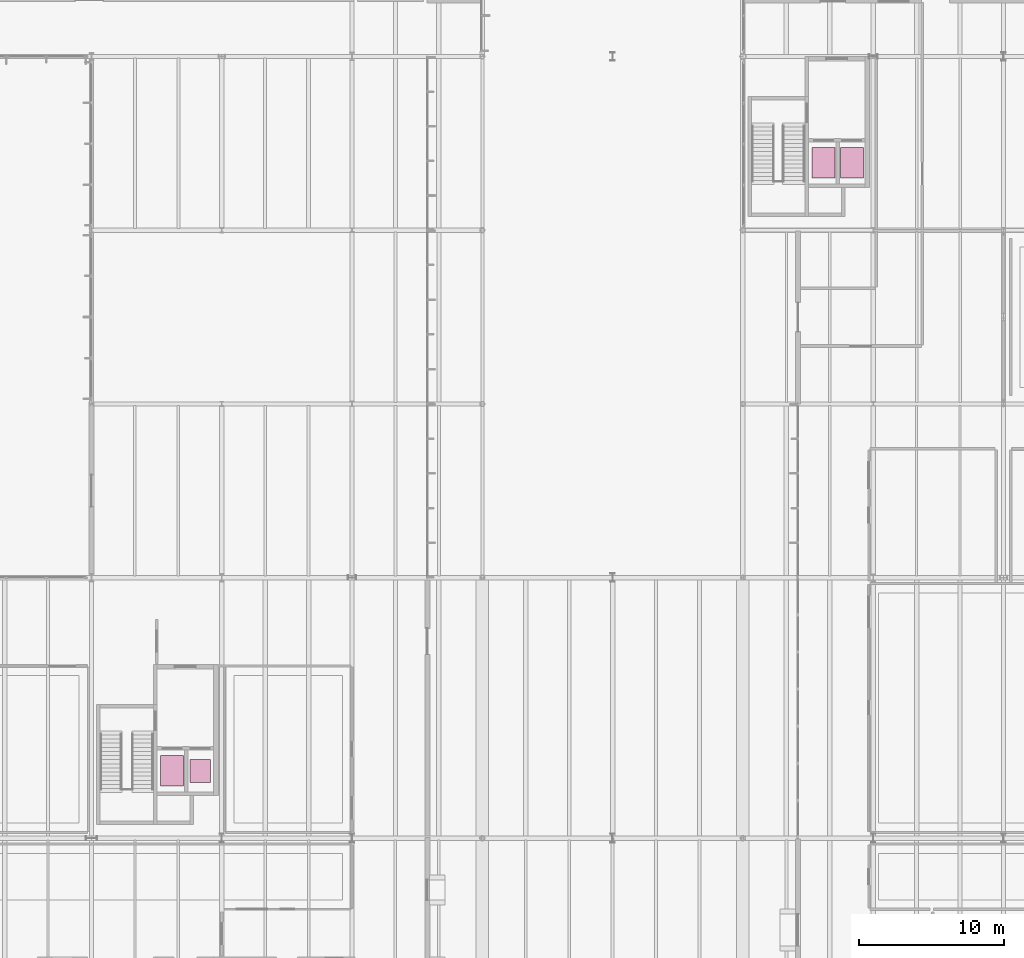
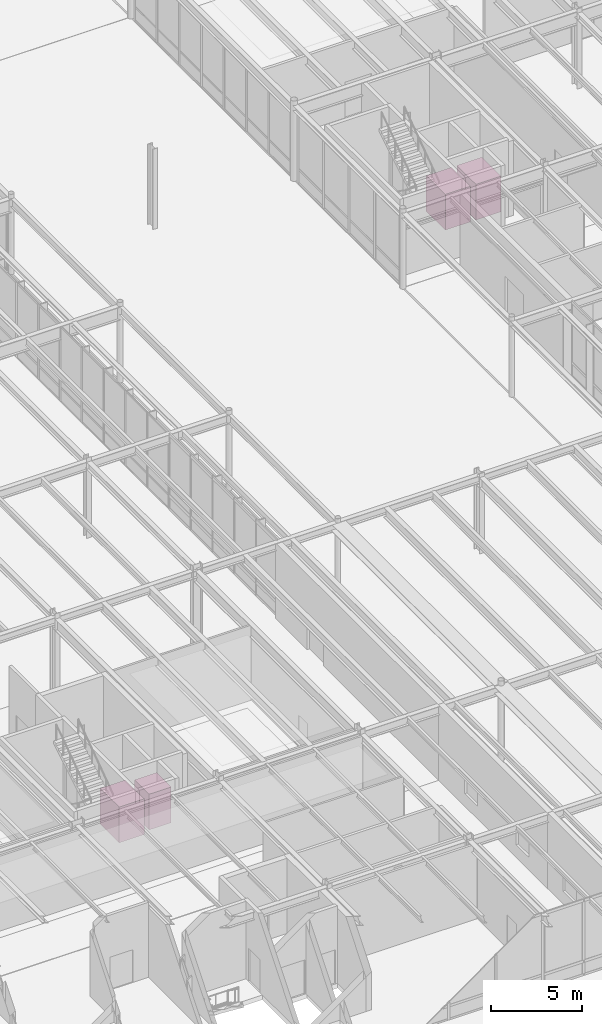
# One storey, part 143 of 143: 4 transport elements.
"""IFC4 building model written with IfcOpenShell, lengths in metres."""

from ifc_helpers import new_model, si_unit, direction, frame, origin, origin_2d, place, context, subcontext, project, spatial, rectangle, extrude, material, type_object, element, save


model = new_model("IFC4")

# Units and contexts
model_context = context("Model", 3, precision=1e-05, world=origin(), true_north=direction((0.0, 1.0)))
body_context = subcontext(model_context, "Body", "Model", "MODEL_VIEW")
ifc_project = project(units=[si_unit("LENGTHUNIT", "METRE"), si_unit("AREAUNIT", "SQUARE_METRE"), si_unit("VOLUMEUNIT", "CUBIC_METRE"), si_unit("PLANEANGLEUNIT", "RADIAN"), si_unit("MASSUNIT", "GRAM", prefix="KILO")], contexts=[model_context])

# Site, building, storey
site_placement = place(None, origin())
site = spatial("IfcSite", under=ifc_project, at=site_placement, CompositionType="ELEMENT")
building_placement = place(site_placement, origin())
building = spatial("IfcBuilding", under=site, at=building_placement, Name="Montelvaro Courts of Justice", CompositionType="ELEMENT")
storey_placement = place(building_placement, origin())
storey = spatial("IfcBuildingStorey", under=building, at=storey_placement, Name="L00", CompositionType="ELEMENT", Elevation=0.0)

# Transport elements
ifc_material = material(Name="Austenitic stainless steel EN 1.4401", Category="steel")
transport_element_type_1 = type_object("IfcTransportElementType", Name="Lift_Judicial_140x160", PredefinedType="ELEVATOR", material=ifc_material)
transport_element_placement = place(storey_placement, frame((61.52490234375, 28.64990234375, 0.0), z_axis=(0.0, 0.0, 1.0), x_axis=(1.0, 0.0, 0.0)))
element("IfcTransportElement", 1, at=transport_element_placement, inside=storey, type_object=transport_element_type_1, Name="Judicial Magistrates Lift LJ-03", PredefinedType="ELEVATOR", context=body_context, shape_type="SweptSolid", body=[
    extrude(rectangle(XDim=1.39990234375, YDim=1.60009765625, at=origin_2d()), origin(), (0.0, 0.0, 1.0), 2.39990234375),
])
transport_element_type_2 = type_object("IfcTransportElementType", Name="Lift_Public_160x210", PredefinedType="ELEVATOR", material=ifc_material)
for number, where, z_axis, x_axis, name in (
    (2, (104.574951171875, 70.64990234375, 0.0), (0.0, 0.0, 1.0), (1.0, 0.0, 0.0), "Public Concourse Lift LP-01"),
    (3, (106.52490234375, 70.64990234375, 0.0), (0.0, 0.0, 1.0), (1.0, 0.0, 0.0), "Public Concourse Lift LP-02"),
    (4, (59.574951171875, 28.64990234375, 0.0), (0.0, 0.0, 1.0), (1.0, 0.0, 0.0), "Library Public Lift LP-03"),
):
    element("IfcTransportElement", number, at=place(storey_placement, frame(where, z_axis=z_axis, x_axis=x_axis)), inside=storey, type_object=transport_element_type_2, Name=name, PredefinedType="ELEVATOR", context=body_context, shape_type="SweptSolid", body=[
        extrude(rectangle(XDim=1.60009765625, YDim=2.10009765625, at=origin_2d()), origin(), (0.0, 0.0, 1.0), 2.39990234375),
    ])

save(model, "model.ifc")
